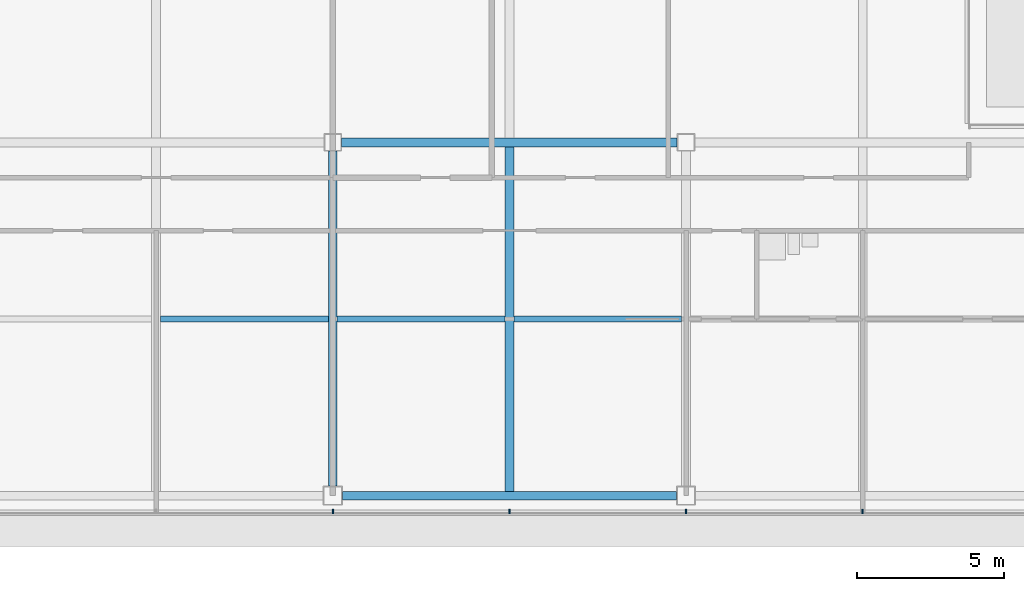
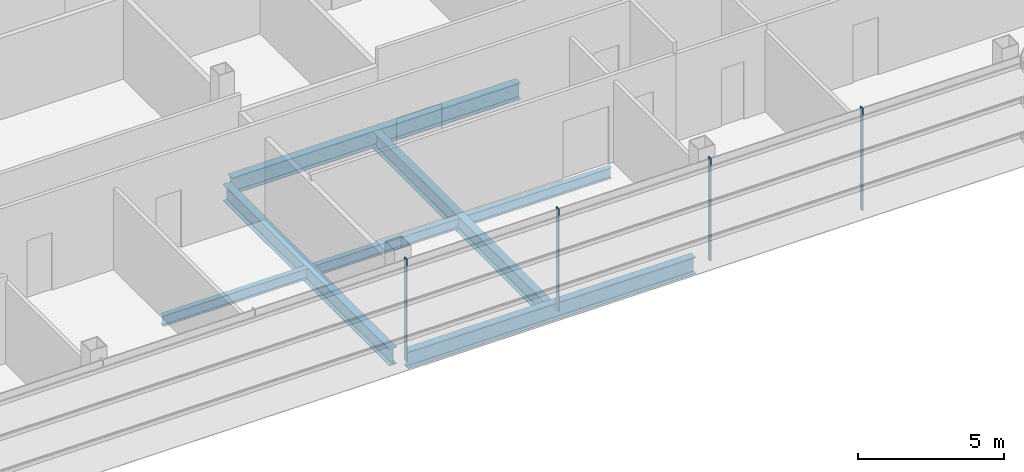
# One storey, part 8 of 30: 7 beams, 4 members, 1 element without a shape of its own.
"""IFC4 building model written with IfcOpenShell, lengths in metres."""

from ifc_helpers import new_model, si_unit, direction, frame, origin, origin_2d, place, context, subcontext, project, spatial, rectangle, i_section, extrude, material, material_profile, profile_set, type_object, element, aggregate, save


model = new_model("IFC4")

# Units and contexts
model_context = context("Model", 3, precision=1e-05, world=origin(), true_north=direction((0.0, 1.0)))
body_context = subcontext(model_context, "Body", "Model", "MODEL_VIEW")
ifc_project = project(units=[si_unit("LENGTHUNIT", "METRE"), si_unit("AREAUNIT", "SQUARE_METRE"), si_unit("VOLUMEUNIT", "CUBIC_METRE"), si_unit("PLANEANGLEUNIT", "RADIAN"), si_unit("MASSUNIT", "GRAM", prefix="KILO")], contexts=[model_context])

# Site, building, storey
site_placement = place(None, origin())
site = spatial("IfcSite", under=ifc_project, at=site_placement, CompositionType="ELEMENT")
building_placement = place(site_placement, origin())
building = spatial("IfcBuilding", under=site, at=building_placement, Name="Sorahane Residences", CompositionType="ELEMENT")
storey_placement = place(building_placement, frame((0.0, 0.0, 229.800048828125)))
storey = spatial("IfcBuildingStorey", under=building, at=storey_placement, Name="L54", CompositionType="ELEMENT", Elevation=229.800048828125)

# Curtain wall, members
ifc_material_1 = material(Name="Dark low-e glass and black anodised aluminium", Category="aluminium")
curtain_wall_type = type_object("IfcCurtainWallType", Name="Curtain wall CW-1 Typical unitised wall", PredefinedType="NOTDEFINED", material=ifc_material_1)
curtain_wall_placement = place(storey_placement, origin())
curtain_wall = element("IfcCurtainWall", 1, at=curtain_wall_placement, inside=storey, type_object=curtain_wall_type, Name="CW-1 curtain wall L54 S2", PredefinedType="NOTDEFINED")
ifc_material_2 = material(Name="Black anodised aluminium", Category="aluminium")
ifc_material_profile_1 = material_profile(ifc_material_2, rectangle(XDim=0.159912109375, YDim=0.050048828125, at=origin_2d()), Name="Curtain wall mullion CW-1 black anodised aluminium 50x160")
ifc_profile_set_1 = profile_set([ifc_material_profile_1], Name="Black anodised aluminium")
member_type = type_object("IfcMemberType", Name="Curtain wall mullion CW-1 black anodised aluminium 50x160", PredefinedType="MULLION", material=ifc_profile_set_1)
member_1_placement = place(storey_placement, frame((24.0, -0.5400390625, -0.179931640625), z_axis=(0.0, 0.0, 1.0), x_axis=(0.0, -1.0, 0.0)))
member_1 = element("IfcMember", 2, at=member_1_placement, type_object=member_type, Name="CW-1 mullion L54 S2.6", PredefinedType="MULLION", context=body_context, shape_type="SweptSolid", body=[
    extrude(rectangle(XDim=0.159912109375, YDim=0.050048828125, at=origin_2d()), origin(), (0.0, 0.0, 1.0), 4.27978515625),
])
member_2_placement = place(storey_placement, frame((30.0, -0.5400390625, -0.179931640625), z_axis=(0.0, 0.0, 1.0), x_axis=(0.0, -1.0, 0.0)))
member_2 = element("IfcMember", 3, at=member_2_placement, type_object=member_type, Name="CW-1 mullion L54 S2.7", PredefinedType="MULLION", context=body_context, shape_type="SweptSolid", body=[
    extrude(rectangle(XDim=0.159912109375, YDim=0.050048828125, at=origin_2d()), origin(), (0.0, 0.0, 1.0), 4.27978515625),
])
member_3_placement = place(storey_placement, frame((36.0, -0.5400390625, -0.179931640625), z_axis=(0.0, 0.0, 1.0), x_axis=(0.0, -1.0, 0.0)))
member_3 = element("IfcMember", 4, at=member_3_placement, type_object=member_type, Name="CW-1 mullion L54 S2.8", PredefinedType="MULLION", context=body_context, shape_type="SweptSolid", body=[
    extrude(rectangle(XDim=0.159912109375, YDim=0.050048828125, at=origin_2d()), origin(), (0.0, 0.0, 1.0), 4.27978515625),
])
member_4_placement = place(storey_placement, frame((42.0, -0.5400390625, -0.179931640625), z_axis=(0.0, 0.0, 1.0), x_axis=(0.0, -1.0, 0.0)))
member_4 = element("IfcMember", 5, at=member_4_placement, type_object=member_type, Name="CW-1 mullion L54 S2.9", PredefinedType="MULLION", context=body_context, shape_type="SweptSolid", body=[
    extrude(rectangle(XDim=0.159912109375, YDim=0.050048828125, at=origin_2d()), origin(), (0.0, 0.0, 1.0), 4.27978515625),
])
aggregate(curtain_wall, [member_1, member_2, member_3, member_4])

# Beams
ifc_material_3 = material(Name="Steel Q355B", Category="steel")
ifc_material_profile_2 = material_profile(ifc_material_3, i_section(OverallWidth=0.199951171875, OverallDepth=0.449951171875, WebThickness=0.009033203125, FlangeThickness=0.013916015625, FilletRadius=0.02001953125, at=origin_2d()), Name="HN 450x200x9x14")
ifc_profile_set_2 = profile_set([ifc_material_profile_2], Name="Steel Q355B")
beam_type_1 = type_object("IfcBeamType", Name="Steel floor beam HN 450x200x9x14 Q355B", PredefinedType="BEAM", material=ifc_profile_set_2)
for number, where, z_axis, x_axis, name in (
    (6, (18.14990234375, 6.0, -0.405029296875), (1.0, 0.0, 0.0), (0.0, 1.0, 0.0), "Beam L54 071"),
    (7, (24.14990234375, 6.0, -0.405029296875), (1.0, 0.0, 0.0), (0.0, 1.0, 0.0), "Beam L54 072"),
    (8, (30.14990234375, 6.0, -0.405029296875), (1.0, 0.0, 0.0), (0.0, 1.0, 0.0), "Beam L54 073"),
):
    element("IfcBeam", number, at=place(storey_placement, frame(where, z_axis=z_axis, x_axis=x_axis)), inside=storey, type_object=beam_type_1, Name=name, PredefinedType="BEAM", context=body_context, shape_type="SweptSolid", body=[
        extrude(i_section(OverallWidth=0.199951171875, OverallDepth=0.449951171875, WebThickness=0.009033203125, FlangeThickness=0.013916015625, FilletRadius=0.02001953125, at=origin_2d()), origin(), (0.0, 0.0, 1.0), 5.7001953125),
    ])
ifc_material_4 = material(Name="Steel Q355B", Category="steel")
ifc_material_profile_3 = material_profile(ifc_material_4, i_section(OverallWidth=0.300048828125, OverallDepth=0.699951171875, WebThickness=0.012939453125, FlangeThickness=0.02392578125, FilletRadius=0.028076171875, at=origin_2d()), Name="HN 700x300x13x24")
ifc_profile_set_3 = profile_set([ifc_material_profile_3], Name="Steel Q355B")
beam_type_2 = type_object("IfcBeamType", Name="Steel floor beam HN 700x300x13x24 Q355B", PredefinedType="BEAM", material=ifc_profile_set_3)
beam_1_placement = place(storey_placement, frame((24.324951171875, 0.0, -0.530029296875), z_axis=(1.0, 0.0, 0.0), x_axis=(0.0, 1.0, 0.0)))
element("IfcBeam", 9, at=beam_1_placement, inside=storey, type_object=beam_type_2, Name="Beam L54 003", PredefinedType="BEAM", context=body_context, shape_type="SweptSolid", body=[
    extrude(i_section(OverallWidth=0.300048828125, OverallDepth=0.699951171875, WebThickness=0.012939453125, FlangeThickness=0.02392578125, FilletRadius=0.028076171875, at=origin_2d()), origin(), (0.0, 0.0, 1.0), 11.35009765625),
])
beam_2_placement = place(storey_placement, frame((24.300048828125, 12.0, -0.530029296875), z_axis=(1.0, 0.0, 0.0), x_axis=(0.0, 1.0, 0.0)))
element("IfcBeam", 10, at=beam_2_placement, inside=storey, type_object=beam_type_2, Name="Beam L54 008", PredefinedType="BEAM", context=body_context, shape_type="SweptSolid", body=[
    extrude(i_section(OverallWidth=0.300048828125, OverallDepth=0.699951171875, WebThickness=0.012939453125, FlangeThickness=0.02392578125, FilletRadius=0.028076171875, at=origin_2d()), origin(), (0.0, 0.0, 1.0), 11.39990234375),
])
beam_3_placement = place(storey_placement, frame((24.0, 0.324951171875, -0.530029296875), z_axis=(0.0, 1.0, 0.0), x_axis=(-1.0, 0.0, 0.0)))
element("IfcBeam", 11, at=beam_3_placement, inside=storey, type_object=beam_type_2, Name="Beam L54 042", PredefinedType="BEAM", context=body_context, shape_type="SweptSolid", body=[
    extrude(i_section(OverallWidth=0.300048828125, OverallDepth=0.699951171875, WebThickness=0.012939453125, FlangeThickness=0.02392578125, FilletRadius=0.028076171875, at=origin_2d()), origin(), (0.0, 0.0, 1.0), 11.375),
])
beam_4_placement = place(storey_placement, frame((30.0, 0.14990234375, -0.530029296875), z_axis=(0.0, 1.0, 0.0), x_axis=(-1.0, 0.0, 0.0)))
element("IfcBeam", 12, at=beam_4_placement, inside=storey, type_object=beam_type_2, Name="Beam L54 044", PredefinedType="BEAM", context=body_context, shape_type="SweptSolid", body=[
    extrude(i_section(OverallWidth=0.300048828125, OverallDepth=0.699951171875, WebThickness=0.012939453125, FlangeThickness=0.02392578125, FilletRadius=0.028076171875, at=origin_2d()), origin(), (0.0, 0.0, 1.0), 11.7001953125),
])

save(model, "model.ifc")
